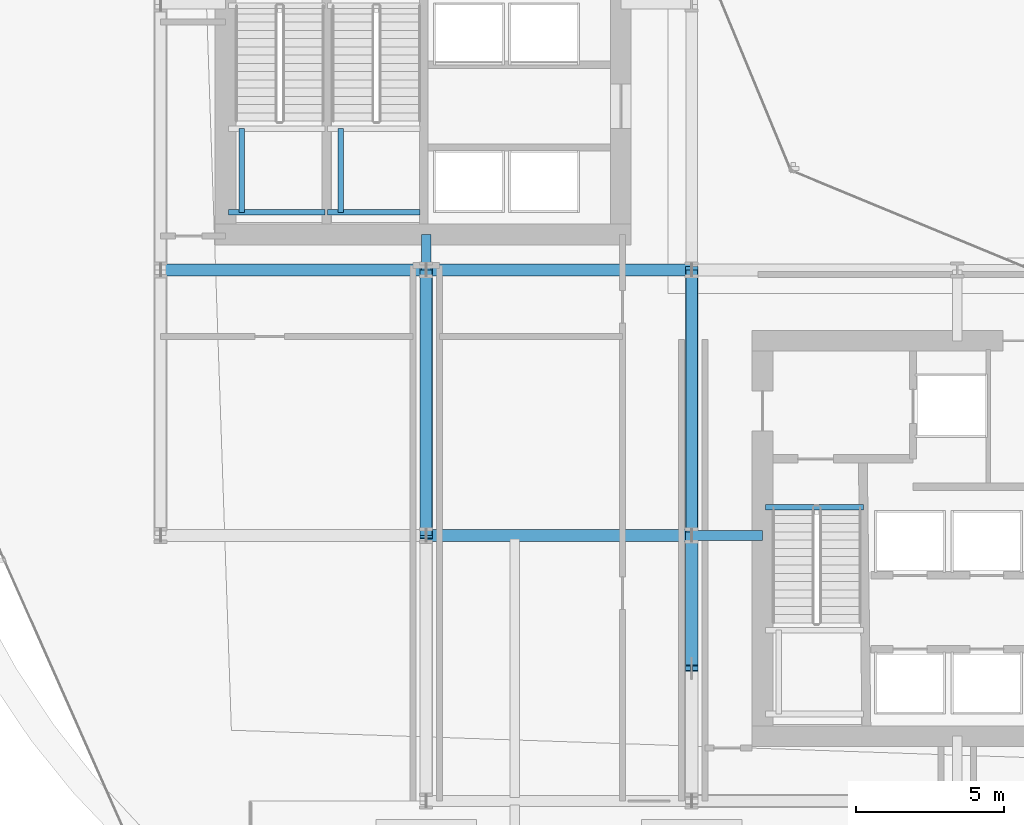
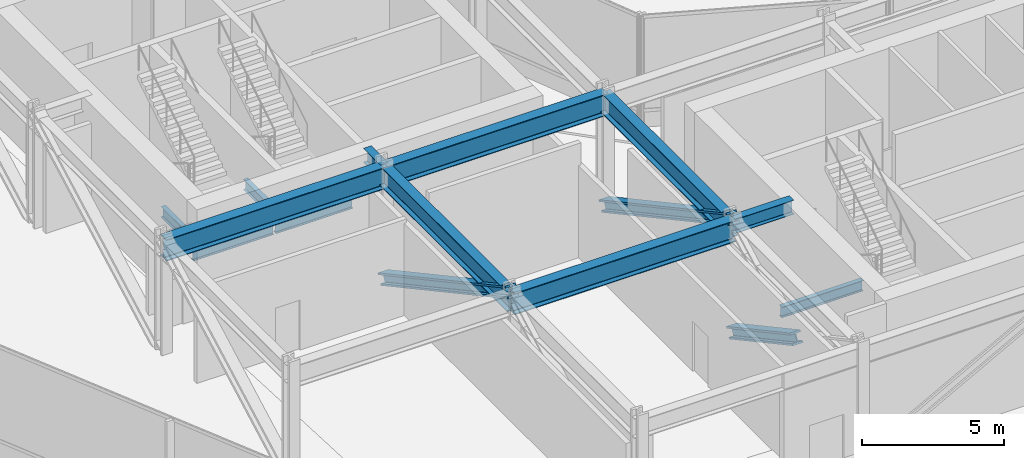
# One storey, part 8 of 37: 12 beams, 3 members.
"""IFC4 building model written with IfcOpenShell, lengths in metres."""

from ifc_helpers import new_model, si_unit, direction, frame, origin, origin_2d, place, context, subcontext, project, spatial, i_section, extrude, material, material_profile, profile_set, type_object, element, save


model = new_model("IFC4")

# Units and contexts
model_context = context("Model", 3, precision=1e-05, world=origin(), true_north=direction((0.0, 1.0)))
body_context = subcontext(model_context, "Body", "Model", "MODEL_VIEW")
ifc_project = project(units=[si_unit("LENGTHUNIT", "METRE"), si_unit("AREAUNIT", "SQUARE_METRE"), si_unit("VOLUMEUNIT", "CUBIC_METRE"), si_unit("PLANEANGLEUNIT", "RADIAN"), si_unit("MASSUNIT", "GRAM", prefix="KILO")], contexts=[model_context])

# Site, building, storey
site_placement = place(None, origin())
site = spatial("IfcSite", under=ifc_project, at=site_placement, CompositionType="ELEMENT")
building_placement = place(site_placement, origin())
building = spatial("IfcBuilding", under=site, at=building_placement, Name="Solvaryn Broadcast Tower", CompositionType="ELEMENT")
storey_placement = place(building_placement, frame((0.0, 0.0, 30.800048828125)))
storey = spatial("IfcBuildingStorey", under=building, at=storey_placement, Name="L06", CompositionType="ELEMENT", Elevation=30.800048828125)

# Beams
ifc_material_1 = material(Name="Steel ASTM A992 Grade 50", Category="steel")
ifc_material_profile_1 = material_profile(ifc_material_1, i_section(OverallWidth=0.323974609375, OverallDepth=0.611083984375, WebThickness=0.0126953125, FlangeThickness=0.01904296875, FilletRadius=0.014892578125, at=origin_2d()))
ifc_profile_set_1 = profile_set([ifc_material_profile_1], Name="Steel ASTM A992 Grade 50")
beam_type_1 = type_object("IfcBeamType", Name="BM-B1-W24X104", PredefinedType="BEAM", material=ifc_profile_set_1)
beam_1_placement = place(storey_placement, frame((18.0, 27.0, 4.614501953125), z_axis=(0.0, 1.0, 0.0), x_axis=(-1.0, 0.0, 0.0)))
element("IfcBeam", 1, at=beam_1_placement, inside=storey, type_object=beam_type_1, Name="L06 Core Tie Beam CTW4", PredefinedType="BEAM", context=body_context, shape_type="SweptSolid", body=[
    extrude(i_section(OverallWidth=0.323974609375, OverallDepth=0.611083984375, WebThickness=0.0126953125, FlangeThickness=0.01904296875, FilletRadius=0.014892578125, at=origin_2d()), origin(), (0.0, 0.0, 1.0), 1.199951171875),
])
beam_2_placement = place(storey_placement, frame((27.0, 18.0, 4.614501953125), z_axis=(1.0, 0.0, 0.0), x_axis=(0.0, 1.0, 0.0)))
element("IfcBeam", 2, at=beam_2_placement, inside=storey, type_object=beam_type_1, Name="L06 Core Tie Beam CTE4", PredefinedType="BEAM", context=body_context, shape_type="SweptSolid", body=[
    extrude(i_section(OverallWidth=0.323974609375, OverallDepth=0.611083984375, WebThickness=0.0126953125, FlangeThickness=0.01904296875, FilletRadius=0.014892578125, at=origin_2d()), origin(), (0.0, 0.0, 1.0), 2.39990234375),
])
ifc_material_2 = material(Name="Steel ASTM A992 Grade 50", Category="steel")
ifc_material_profile_2 = material_profile(ifc_material_2, i_section(OverallWidth=0.18994140625, OverallDepth=0.45703125, WebThickness=0.009033203125, FlangeThickness=0.014404296875, FilletRadius=0.011962890625, at=origin_2d()))
ifc_profile_set_2 = profile_set([ifc_material_profile_2], Name="Steel ASTM A992 Grade 50")
beam_type_2 = type_object("IfcBeamType", Name="BM-B4-W18X50", PredefinedType="BEAM", material=ifc_profile_set_2)
beam_3_placement = place(storey_placement, frame((11.300048828125, 28.949951171875, 2.17138671875), z_axis=(1.0, 0.0, 0.0), x_axis=(0.0, 1.0, 0.0)))
element("IfcBeam", 3, at=beam_3_placement, inside=storey, type_object=beam_type_2, Name="L06 ST1 Landing Support Beam 1A", PredefinedType="BEAM", context=body_context, shape_type="SweptSolid", body=[
    extrude(i_section(OverallWidth=0.18994140625, OverallDepth=0.45703125, WebThickness=0.009033203125, FlangeThickness=0.014404296875, FilletRadius=0.011962890625, at=origin_2d()), origin(), (0.0, 0.0, 1.0), 3.280029296875),
])
beam_4_placement = place(storey_placement, frame((11.75, 28.949951171875, 2.17138671875), z_axis=(0.0, 1.0, 0.0), x_axis=(-1.0, 0.0, 0.0)))
element("IfcBeam", 4, at=beam_4_placement, inside=storey, type_object=beam_type_2, Name="L06 ST1 Landing Cross Stringer 1C", PredefinedType="BEAM", context=body_context, shape_type="SweptSolid", body=[
    extrude(i_section(OverallWidth=0.18994140625, OverallDepth=0.45703125, WebThickness=0.009033203125, FlangeThickness=0.014404296875, FilletRadius=0.011962890625, at=origin_2d()), origin(), (0.0, 0.0, 1.0), 2.840087890625),
])
beam_5_placement = place(storey_placement, frame((14.659912109375, 28.949951171875, 2.17138671875), z_axis=(1.0, 0.0, 0.0), x_axis=(0.0, 1.0, 0.0)))
element("IfcBeam", 5, at=beam_5_placement, inside=storey, type_object=beam_type_2, Name="L06 ST2 Landing Support Beam 1A", PredefinedType="BEAM", context=body_context, shape_type="SweptSolid", body=[
    extrude(i_section(OverallWidth=0.18994140625, OverallDepth=0.45703125, WebThickness=0.009033203125, FlangeThickness=0.014404296875, FilletRadius=0.011962890625, at=origin_2d()), origin(), (0.0, 0.0, 1.0), 3.14013671875),
])
beam_6_placement = place(storey_placement, frame((15.110107421875, 28.949951171875, 2.17138671875), z_axis=(0.0, 1.0, 0.0), x_axis=(-1.0, 0.0, 0.0)))
element("IfcBeam", 6, at=beam_6_placement, inside=storey, type_object=beam_type_2, Name="L06 ST2 Landing Cross Stringer 1C", PredefinedType="BEAM", context=body_context, shape_type="SweptSolid", body=[
    extrude(i_section(OverallWidth=0.18994140625, OverallDepth=0.45703125, WebThickness=0.009033203125, FlangeThickness=0.014404296875, FilletRadius=0.011962890625, at=origin_2d()), origin(), (0.0, 0.0, 1.0), 2.840087890625),
])
beam_7_placement = place(storey_placement, frame((29.5, 18.9599609375, -0.588623046875), z_axis=(1.0, 0.0, 0.0), x_axis=(0.0, 1.0, 0.0)))
element("IfcBeam", 7, at=beam_7_placement, inside=storey, type_object=beam_type_2, Name="L06 ST3 Stair Well Trimmer Beam", PredefinedType="BEAM", context=body_context, shape_type="SweptSolid", body=[
    extrude(i_section(OverallWidth=0.18994140625, OverallDepth=0.45703125, WebThickness=0.009033203125, FlangeThickness=0.014404296875, FilletRadius=0.011962890625, at=origin_2d()), origin(), (0.0, 0.0, 1.0), 3.320068359375),
])
ifc_material_3 = material(Name="Steel ASTM A992 Grade 50", Category="steel")
ifc_material_profile_3 = material_profile(ifc_material_3, i_section(OverallWidth=0.41796875, OverallDepth=0.927001953125, WebThickness=0.019287109375, FlangeThickness=0.031982421875, FilletRadius=0.02392578125, at=origin_2d()))
ifc_profile_set_3 = profile_set([ifc_material_profile_3], Name="Steel ASTM A992 Grade 50")
beam_type_3 = type_object("IfcBeamType", Name="BM-G2-W36X231", PredefinedType="BEAM", material=ifc_profile_set_3)
for number, where, z_axis, x_axis, name in (
    (8, (18.0, 18.0, 4.45654296875), (1.0, 0.0, 0.0), (0.0, 1.0, 0.0), "L06 Primary Beam X (18-27 @ Y=18)"),
    (9, (9.0, 27.0, 4.45654296875), (1.0, 0.0, 0.0), (0.0, 1.0, 0.0), "L06 Primary Beam X (9-18 @ Y=27)"),
    (10, (18.0, 27.0, 4.45654296875), (1.0, 0.0, 0.0), (0.0, 1.0, 0.0), "L06 Primary Beam X (18-27 @ Y=27)"),
):
    element("IfcBeam", number, at=place(storey_placement, frame(where, z_axis=z_axis, x_axis=x_axis)), inside=storey, type_object=beam_type_3, Name=name, PredefinedType="BEAM", context=body_context, shape_type="SweptSolid", body=[
        extrude(i_section(OverallWidth=0.41796875, OverallDepth=0.927001953125, WebThickness=0.019287109375, FlangeThickness=0.031982421875, FilletRadius=0.02392578125, at=origin_2d()), origin(), (0.0, 0.0, 1.0), 9.0),
    ])
ifc_material_4 = material(Name="Steel ASTM A992 Grade 50", Category="steel")
ifc_material_profile_4 = material_profile(ifc_material_4, i_section(OverallWidth=0.39990234375, OverallDepth=0.85498046875, WebThickness=0.018310546875, FlangeThickness=0.029296875, FilletRadius=0.02001953125, at=origin_2d()))
ifc_profile_set_4 = profile_set([ifc_material_profile_4], Name="Steel ASTM A992 Grade 50")
beam_type_4 = type_object("IfcBeamType", Name="BM-G3-W33X201", PredefinedType="BEAM", material=ifc_profile_set_4)
for number, where, z_axis, x_axis, name in (
    (11, (18.0, 18.0, 4.492431640625), (0.0, 1.0, 0.0), (-1.0, 0.0, 0.0), "L06 Primary Beam Y (18-27 @ X=18)"),
    (12, (27.0, 18.0, 4.492431640625), (0.0, 1.0, 0.0), (-1.0, 0.0, 0.0), "L06 Primary Beam Y (18-27 @ X=27)"),
):
    element("IfcBeam", number, at=place(storey_placement, frame(where, z_axis=z_axis, x_axis=x_axis)), inside=storey, type_object=beam_type_4, Name=name, PredefinedType="BEAM", context=body_context, shape_type="SweptSolid", body=[
        extrude(i_section(OverallWidth=0.39990234375, OverallDepth=0.85498046875, WebThickness=0.018310546875, FlangeThickness=0.029296875, FilletRadius=0.02001953125, at=origin_2d()), origin(), (0.0, 0.0, 1.0), 9.0),
    ])

# Members
ifc_material_5 = material(Name="Steel ASTM A913 Grade 65", Category="steel")
ifc_material_profile_5 = material_profile(ifc_material_5, i_section(OverallWidth=0.424072265625, OverallDepth=0.47412109375, WebThickness=0.047607421875, FlangeThickness=0.0771484375, FilletRadius=0.014892578125, at=origin_2d()))
ifc_profile_set_5 = profile_set([ifc_material_profile_5], Name="Steel ASTM A913 Grade 65")
member_type = type_object("IfcMemberType", Name="MB-TRUSS-DIAG", PredefinedType="BRACE", material=ifc_profile_set_5)
member_1_placement = place(storey_placement, frame((18.0, 27.0, 0.02001953125), z_axis=(0.0, -0.879092151416, 0.476651853367), x_axis=(1.0, 0.0, 0.0)))
element("IfcMember", 13, at=member_1_placement, inside=storey, type_object=member_type, Name="L06 Transfer Truss Diagonal 2", PredefinedType="BRACE", context=body_context, shape_type="SweptSolid", body=[
    extrude(i_section(OverallWidth=0.424072265625, OverallDepth=0.47412109375, WebThickness=0.047607421875, FlangeThickness=0.0771484375, FilletRadius=0.014892578125, at=origin_2d()), origin(), (0.0, 0.0, 1.0), 10.23779296875),
])
member_2_placement = place(storey_placement, frame((27.0, 13.5, 2.4599609375), z_axis=(0.0, 0.879092151416, -0.476651853367), x_axis=(-1.0, 0.0, 0.0)))
element("IfcMember", 14, at=member_2_placement, inside=storey, type_object=member_type, Name="L06 Transfer Truss X-Bay 27 Split Diagonal Upper", PredefinedType="BRACE", context=body_context, shape_type="SweptSolid", body=[
    extrude(i_section(OverallWidth=0.424072265625, OverallDepth=0.47412109375, WebThickness=0.047607421875, FlangeThickness=0.0771484375, FilletRadius=0.014892578125, at=origin_2d()), origin(), (0.0, 0.0, 1.0), 5.118896484375),
])
member_3_placement = place(storey_placement, frame((27.0, 27.0, 0.02001953125), z_axis=(0.0, -0.879092151416, 0.476651853367), x_axis=(1.0, 0.0, 0.0)))
element("IfcMember", 15, at=member_3_placement, inside=storey, type_object=member_type, Name="L06 Transfer Truss Diagonal 5", PredefinedType="BRACE", context=body_context, shape_type="SweptSolid", body=[
    extrude(i_section(OverallWidth=0.424072265625, OverallDepth=0.47412109375, WebThickness=0.047607421875, FlangeThickness=0.0771484375, FilletRadius=0.014892578125, at=origin_2d()), origin(), (0.0, 0.0, 1.0), 10.23779296875),
])

save(model, "model.ifc")
